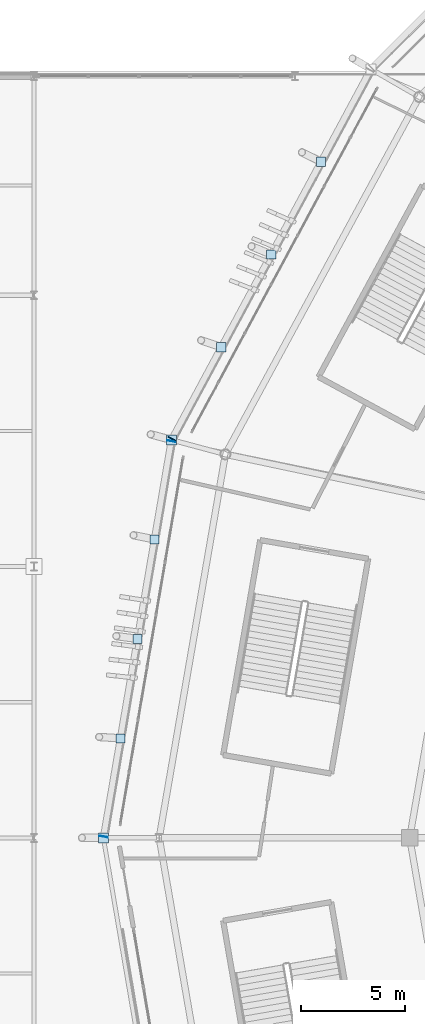
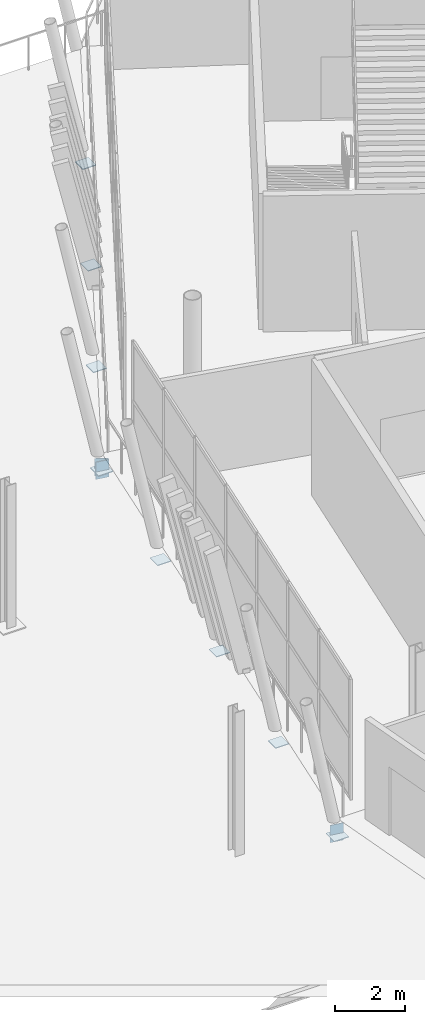
# One storey, part 108 of 179: 11 plates.
"""IFC4 building model written with IfcOpenShell, lengths in metres."""

from ifc_helpers import new_model, si_unit, direction, frame, origin, origin_2d, place, context, subcontext, project, spatial, rectangle, extrude, material, layer, layer_set, type_object, element, save


model = new_model("IFC4")

# Units and contexts
model_context = context("Model", 3, precision=1e-05, world=origin(), true_north=direction((0.0, 1.0)))
body_context = subcontext(model_context, "Body", "Model", "MODEL_VIEW")
ifc_project = project(units=[si_unit("LENGTHUNIT", "METRE"), si_unit("AREAUNIT", "SQUARE_METRE"), si_unit("VOLUMEUNIT", "CUBIC_METRE"), si_unit("PLANEANGLEUNIT", "RADIAN"), si_unit("MASSUNIT", "GRAM", prefix="KILO")], contexts=[model_context])

# Site, building, storey
site_placement = place(None, origin())
site = spatial("IfcSite", under=ifc_project, at=site_placement, CompositionType="ELEMENT")
building_placement = place(site_placement, origin())
building = spatial("IfcBuilding", under=site, at=building_placement, Name="Zlatoyarsky Gate Stadium", CompositionType="ELEMENT")
storey_placement = place(building_placement, frame((0.0, 0.0, 10.60009765625)))
storey = spatial("IfcBuildingStorey", under=building, at=storey_placement, Name="L02", CompositionType="ELEMENT", Elevation=10.60009765625)

# Plates
ifc_material = material(Name="Steel S355", Category="steel")
ifc_layer = layer(ifc_material, 0.02392578125)
ifc_layer_set = layer_set([ifc_layer], Name="Steel S355")
plate_type = type_object("IfcPlateType", Name="STEEL HOLLOW CHORD SPLICE SHEET 24", PredefinedType="SHEET", material=ifc_layer_set)
for number, where, z_axis, x_axis, name in (
    (1, (18.612548828125, 99.12158203125, -0.830078125), (0.0, 0.0, 1.0), (-0.473714375599, -0.880678539735, 0.0), "Hollow end cap ND-SP1 CAP-L02-SPD-10 B"),
    (2, (18.57421875, 99.009521484375, -0.830078125), (0.0, 0.0, 1.0), (-0.168520891179, -0.985698082192, 0.0), "Hollow end cap ND-SP1 CAP-L02-SPD-11 A"),
    (3, (15.334228515625, 80.05908203125, -0.830078125), (0.0, 0.0, 1.0), (-0.168520891179, -0.985698082192, 0.0), "Hollow end cap ND-SP1 CAP-L02-SPD-11 B"),
):
    element("IfcPlate", number, at=place(storey_placement, frame(where, z_axis=z_axis, x_axis=x_axis)), inside=storey, type_object=plate_type, Name=name, PredefinedType="SHEET", context=body_context, shape_type="SweptSolid", body=[
        extrude(rectangle(XDim=0.02392578125, YDim=0.39990234375, at=origin_2d()), origin(), (0.0, 0.0, 1.0), 0.60009765625),
    ])
for number, where, z_axis, x_axis, name in (
    (4, (18.584228515625, 99.068603515625, -0.592041015625), (0.0, 0.0, 1.0), (1.0, 0.0, 0.0), "Node closure plate ND-SP1 NCAP-L02-RSTR-11"),
    (5, (15.32421875, 80.0, -0.592041015625), (0.0, 0.0, 1.0), (1.0, 0.0, 0.0), "Node closure plate ND-SP1 NCAP-L02-RSTR-12"),
):
    element("IfcPlate", number, at=place(storey_placement, frame(where, z_axis=z_axis, x_axis=x_axis)), inside=storey, type_object=plate_type, Name=name, PredefinedType="SHEET", context=body_context, shape_type="SweptSolid", body=[
        extrude(rectangle(XDim=0.47998046875, YDim=0.47998046875, at=origin_2d()), origin(), (0.0, 0.0, 1.0), 0.02392578125),
    ])
for number, where, z_axis, x_axis, name in (
    (6, (25.752685546875, 112.3955078125, -0.5419921875), (0.0, 0.0, 1.0), (1.0, 0.0, 0.0), "Node closure plate ND-SP1 NCAP-RIB-10-1-0T"),
    (7, (23.36328125, 107.953369140625, -0.5419921875), (0.0, 0.0, 1.0), (1.0, 0.0, 0.0), "Node closure plate ND-SP1 NCAP-RIB-10-2-0T"),
    (8, (20.9736328125, 103.510986328125, -0.5419921875), (0.0, 0.0, 1.0), (1.0, 0.0, 0.0), "Node closure plate ND-SP1 NCAP-RIB-10-3-0T"),
    (9, (17.769287109375, 94.301513671875, -0.5419921875), (0.0, 0.0, 1.0), (1.0, 0.0, 0.0), "Node closure plate ND-SP1 NCAP-RIB-11-1-0T"),
    (10, (16.9541015625, 89.534423828125, -0.5419921875), (0.0, 0.0, 1.0), (1.0, 0.0, 0.0), "Node closure plate ND-SP1 NCAP-RIB-11-2-0T"),
    (11, (16.13916015625, 84.76708984375, -0.5419921875), (0.0, 0.0, 1.0), (1.0, 0.0, 0.0), "Node closure plate ND-SP1 NCAP-RIB-11-3-0T"),
):
    element("IfcPlate", number, at=place(storey_placement, frame(where, z_axis=z_axis, x_axis=x_axis)), inside=storey, type_object=plate_type, Name=name, PredefinedType="SHEET", context=body_context, shape_type="SweptSolid", body=[
        extrude(rectangle(XDim=0.43994140625, YDim=0.43994140625, at=origin_2d()), origin(), (0.0, 0.0, 1.0), 0.02392578125),
    ])

save(model, "model.ifc")
